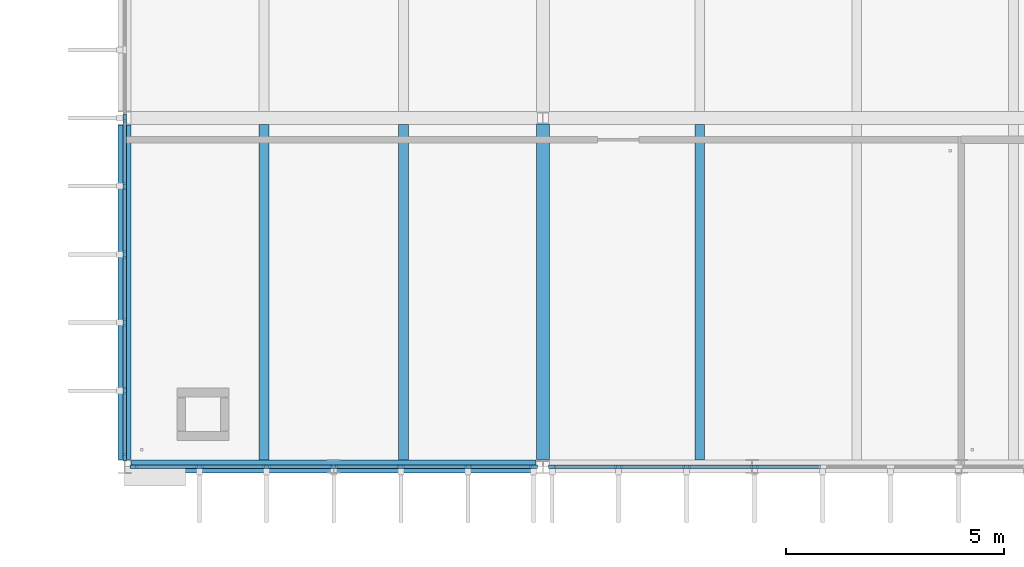
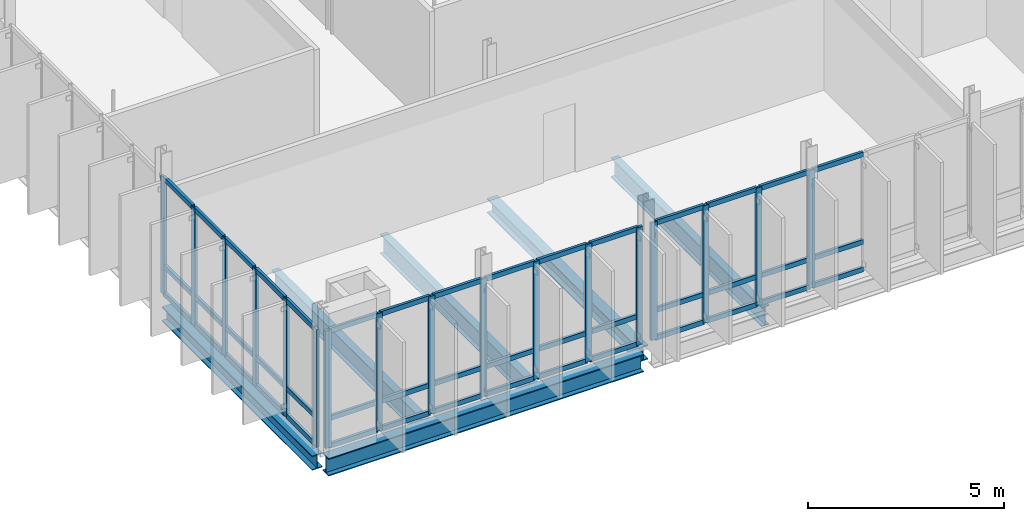
# One storey, part 13 of 59: 62 members, 6 beams, 3 elements without a shape of their own.
"""IFC4 building model written with IfcOpenShell, lengths in metres."""

from ifc_helpers import new_model, si_unit, direction, frame, origin, origin_2d, place, context, subcontext, project, spatial, rectangle, i_section, extrude, material, material_profile, profile_set, type_object, element, aggregate, save


model = new_model("IFC4")

# Units and contexts
model_context = context("Model", 3, precision=1e-05, world=origin(), true_north=direction((0.0, 1.0)))
body_context = subcontext(model_context, "Body", "Model", "MODEL_VIEW")
ifc_project = project(units=[si_unit("LENGTHUNIT", "METRE"), si_unit("AREAUNIT", "SQUARE_METRE"), si_unit("VOLUMEUNIT", "CUBIC_METRE"), si_unit("PLANEANGLEUNIT", "RADIAN"), si_unit("MASSUNIT", "GRAM", prefix="KILO")], contexts=[model_context])

# Site, building, storey
site_placement = place(None, origin())
site = spatial("IfcSite", under=ifc_project, at=site_placement, CompositionType="ELEMENT")
building_placement = place(site_placement, origin())
building = spatial("IfcBuilding", under=site, at=building_placement, Name="Dunescarp Central Library", CompositionType="ELEMENT")
storey_placement = place(building_placement, frame((0.0, 0.0, 18.60009765625)))
storey = spatial("IfcBuildingStorey", under=building, at=storey_placement, Name="L04", CompositionType="ELEMENT", Elevation=18.60009765625)

# Curtain wall, members
ifc_material_1 = material(Name="Marine-grade anodised aluminium 6063-T6", Category="aluminium")
curtain_wall_type = type_object("IfcCurtainWallType", Name="ARC-CW-STICK", PredefinedType="NOTDEFINED", material=ifc_material_1)
curtain_wall_1_placement = place(storey_placement, origin())
curtain_wall_1 = element("IfcCurtainWall", 1, at=curtain_wall_1_placement, inside=storey, type_object=curtain_wall_type, Name="L04 curtain wall CW-V1-024", PredefinedType="NOTDEFINED")
ifc_material_profile_1 = material_profile(ifc_material_1, rectangle(XDim=0.080078125, YDim=0.179931640625, at=origin_2d()), Name="AL 80x180")
ifc_profile_set_1 = profile_set([ifc_material_profile_1], Name="Marine-grade anodised aluminium 6063-T6")
member_type_1 = type_object("IfcMemberType", Name="ARC-CWM-180", PredefinedType="MULLION", material=ifc_profile_set_1)
member_1_placement = place(storey_placement, frame((9.385009765625, 4.800048828125, 0.0), z_axis=(0.0, 0.0, 1.0), x_axis=(0.0, -1.0, 0.0)))
member_1 = element("IfcMember", 2, at=member_1_placement, type_object=member_type_1, Name="CW-V1-024 mullion 1", PredefinedType="MULLION", context=body_context, shape_type="SweptSolid", body=[
    extrude(rectangle(XDim=0.080078125, YDim=0.179931640625, at=origin_2d()), origin(), (0.0, 0.0, 1.0), 3.664794921875),
])
member_2_placement = place(storey_placement, frame((7.88330078125, 4.800048828125, 0.0), z_axis=(0.0, 0.0, 1.0), x_axis=(0.0, -1.0, 0.0)))
member_2 = element("IfcMember", 3, at=member_2_placement, type_object=member_type_1, Name="CW-V1-024 mullion 2", PredefinedType="MULLION", context=body_context, shape_type="SweptSolid", body=[
    extrude(rectangle(XDim=0.080078125, YDim=0.179931640625, at=origin_2d()), origin(), (0.0, 0.0, 1.0), 3.664794921875),
])
member_3_placement = place(storey_placement, frame((6.341552734375, 4.800048828125, 0.0), z_axis=(0.0, 0.0, 1.0), x_axis=(0.0, -1.0, 0.0)))
member_3 = element("IfcMember", 4, at=member_3_placement, type_object=member_type_1, Name="CW-V1-024 mullion 3", PredefinedType="MULLION", context=body_context, shape_type="SweptSolid", body=[
    extrude(rectangle(XDim=0.080078125, YDim=0.179931640625, at=origin_2d()), origin(), (0.0, 0.0, 1.0), 3.664794921875),
])
member_4_placement = place(storey_placement, frame((4.800048828125, 4.800048828125, 0.0), z_axis=(0.0, 0.0, 1.0), x_axis=(0.0, -1.0, 0.0)))
member_4 = element("IfcMember", 5, at=member_4_placement, type_object=member_type_1, Name="CW-V1-024 mullion 4", PredefinedType="MULLION", context=body_context, shape_type="SweptSolid", body=[
    extrude(rectangle(XDim=0.080078125, YDim=0.179931640625, at=origin_2d()), origin(), (0.0, 0.0, 1.0), 3.664794921875),
])
member_5_placement = place(storey_placement, frame((3.25830078125, 4.800048828125, 0.0), z_axis=(0.0, 0.0, 1.0), x_axis=(0.0, -1.0, 0.0)))
member_5 = element("IfcMember", 6, at=member_5_placement, type_object=member_type_1, Name="CW-V1-024 mullion 5", PredefinedType="MULLION", context=body_context, shape_type="SweptSolid", body=[
    extrude(rectangle(XDim=0.080078125, YDim=0.179931640625, at=origin_2d()), origin(), (0.0, 0.0, 1.0), 3.664794921875),
])
member_6_placement = place(storey_placement, frame((1.716552734375, 4.800048828125, 0.0), z_axis=(0.0, 0.0, 1.0), x_axis=(0.0, -1.0, 0.0)))
member_6 = element("IfcMember", 7, at=member_6_placement, type_object=member_type_1, Name="CW-V1-024 mullion 6", PredefinedType="MULLION", context=body_context, shape_type="SweptSolid", body=[
    extrude(rectangle(XDim=0.080078125, YDim=0.179931640625, at=origin_2d()), origin(), (0.0, 0.0, 1.0), 3.664794921875),
])
member_7_placement = place(storey_placement, frame((0.215087890625, 4.800048828125, 0.0), z_axis=(0.0, 0.0, 1.0), x_axis=(0.0, -1.0, 0.0)))
member_7 = element("IfcMember", 8, at=member_7_placement, type_object=member_type_1, Name="CW-V1-024 mullion 7", PredefinedType="MULLION", context=body_context, shape_type="SweptSolid", body=[
    extrude(rectangle(XDim=0.080078125, YDim=0.179931640625, at=origin_2d()), origin(), (0.0, 0.0, 1.0), 3.664794921875),
])

curtain_wall_2_placement = place(storey_placement, origin())
curtain_wall_2 = element("IfcCurtainWall", 9, at=curtain_wall_2_placement, inside=storey, type_object=curtain_wall_type, Name="L04 curtain wall CW-V1-025", PredefinedType="NOTDEFINED")
member_8_placement = place(storey_placement, frame((14.458251953125, 4.800048828125, 0.0), z_axis=(0.0, 0.0, 1.0), x_axis=(0.0, -1.0, 0.0)))
member_8 = element("IfcMember", 10, at=member_8_placement, type_object=member_type_1, Name="CW-V1-025 mullion 7", PredefinedType="MULLION", context=body_context, shape_type="SweptSolid", body=[
    extrude(rectangle(XDim=0.080078125, YDim=0.179931640625, at=origin_2d()), origin(), (0.0, 0.0, 1.0), 3.664794921875),
])
member_9_placement = place(storey_placement, frame((12.897216796875, 4.800048828125, 0.0), z_axis=(0.0, 0.0, 1.0), x_axis=(0.0, -1.0, 0.0)))
member_9 = element("IfcMember", 11, at=member_9_placement, type_object=member_type_1, Name="CW-V1-025 mullion 8", PredefinedType="MULLION", context=body_context, shape_type="SweptSolid", body=[
    extrude(rectangle(XDim=0.080078125, YDim=0.179931640625, at=origin_2d()), origin(), (0.0, 0.0, 1.0), 3.664794921875),
])
member_10_placement = place(storey_placement, frame((11.336181640625, 4.800048828125, 0.0), z_axis=(0.0, 0.0, 1.0), x_axis=(0.0, -1.0, 0.0)))
member_10 = element("IfcMember", 12, at=member_10_placement, type_object=member_type_1, Name="CW-V1-025 mullion 9", PredefinedType="MULLION", context=body_context, shape_type="SweptSolid", body=[
    extrude(rectangle(XDim=0.080078125, YDim=0.179931640625, at=origin_2d()), origin(), (0.0, 0.0, 1.0), 3.664794921875),
])
member_11_placement = place(storey_placement, frame((9.81494140625, 4.800048828125, 0.0), z_axis=(0.0, 0.0, 1.0), x_axis=(0.0, -1.0, 0.0)))
member_11 = element("IfcMember", 13, at=member_11_placement, type_object=member_type_1, Name="CW-V1-025 mullion 10", PredefinedType="MULLION", context=body_context, shape_type="SweptSolid", body=[
    extrude(rectangle(XDim=0.080078125, YDim=0.179931640625, at=origin_2d()), origin(), (0.0, 0.0, 1.0), 3.664794921875),
])

curtain_wall_3_placement = place(storey_placement, origin())
curtain_wall_3 = element("IfcCurtainWall", 14, at=curtain_wall_3_placement, inside=storey, type_object=curtain_wall_type, Name="L04 curtain wall CW-V1-028", PredefinedType="NOTDEFINED")
member_12_placement = place(storey_placement, frame((0.0, 5.014892578125, 0.0), z_axis=(0.0, 0.0, 1.0), x_axis=(-1.0, 0.0, 0.0)))
member_12 = element("IfcMember", 15, at=member_12_placement, type_object=member_type_1, Name="CW-V1-028 mullion 1", PredefinedType="MULLION", context=body_context, shape_type="SweptSolid", body=[
    extrude(rectangle(XDim=0.080078125, YDim=0.179931640625, at=origin_2d()), origin(), (0.0, 0.0, 1.0), 3.664794921875),
])
member_13_placement = place(storey_placement, frame((0.0, 6.5400390625, 0.0), z_axis=(0.0, 0.0, 1.0), x_axis=(-1.0, 0.0, 0.0)))
member_13 = element("IfcMember", 16, at=member_13_placement, type_object=member_type_1, Name="CW-V1-028 mullion 2", PredefinedType="MULLION", context=body_context, shape_type="SweptSolid", body=[
    extrude(rectangle(XDim=0.080078125, YDim=0.179931640625, at=origin_2d()), origin(), (0.0, 0.0, 1.0), 3.664794921875),
])
member_14_placement = place(storey_placement, frame((0.0, 8.10498046875, 0.0), z_axis=(0.0, 0.0, 1.0), x_axis=(-1.0, 0.0, 0.0)))
member_14 = element("IfcMember", 17, at=member_14_placement, type_object=member_type_1, Name="CW-V1-028 mullion 3", PredefinedType="MULLION", context=body_context, shape_type="SweptSolid", body=[
    extrude(rectangle(XDim=0.080078125, YDim=0.179931640625, at=origin_2d()), origin(), (0.0, 0.0, 1.0), 3.664794921875),
])
member_15_placement = place(storey_placement, frame((0.0, 9.669921875, 0.0), z_axis=(0.0, 0.0, 1.0), x_axis=(-1.0, 0.0, 0.0)))
member_15 = element("IfcMember", 18, at=member_15_placement, type_object=member_type_1, Name="CW-V1-028 mullion 4", PredefinedType="MULLION", context=body_context, shape_type="SweptSolid", body=[
    extrude(rectangle(XDim=0.080078125, YDim=0.179931640625, at=origin_2d()), origin(), (0.0, 0.0, 1.0), 3.664794921875),
])
member_16_placement = place(storey_placement, frame((0.0, 11.235107421875, 0.0), z_axis=(0.0, 0.0, 1.0), x_axis=(-1.0, 0.0, 0.0)))
member_16 = element("IfcMember", 19, at=member_16_placement, type_object=member_type_1, Name="CW-V1-028 mullion 5", PredefinedType="MULLION", context=body_context, shape_type="SweptSolid", body=[
    extrude(rectangle(XDim=0.080078125, YDim=0.179931640625, at=origin_2d()), origin(), (0.0, 0.0, 1.0), 3.664794921875),
])
member_17_placement = place(storey_placement, frame((0.0, 12.800048828125, 0.0), z_axis=(0.0, 0.0, 1.0), x_axis=(-1.0, 0.0, 0.0)))
member_17 = element("IfcMember", 20, at=member_17_placement, type_object=member_type_1, Name="CW-V1-028 mullion 6", PredefinedType="MULLION", context=body_context, shape_type="SweptSolid", body=[
    extrude(rectangle(XDim=0.080078125, YDim=0.179931640625, at=origin_2d()), origin(), (0.0, 0.0, 1.0), 3.664794921875),
])

# Member
ifc_material_profile_2 = material_profile(ifc_material_1, rectangle(XDim=0.080078125, YDim=0.14990234375, at=origin_2d()), Name="AL 80x150")
ifc_profile_set_2 = profile_set([ifc_material_profile_2], Name="Marine-grade anodised aluminium 6063-T6")
member_type_2 = type_object("IfcMemberType", Name="ARC-CWT-150", PredefinedType="USERDEFINED", material=ifc_profile_set_2)
member_18_placement = place(storey_placement, frame((9.344970703125, 4.800048828125, 0.039794921875), z_axis=(-1.0, 0.0, 0.0), x_axis=(0.0, -1.0, 0.0)))
member_18 = element("IfcMember", 21, at=member_18_placement, type_object=member_type_2, Name="CW-V1-024 transom 1.1", ObjectType="TRANSOM", PredefinedType="USERDEFINED", context=body_context, shape_type="SweptSolid", body=[
    extrude(rectangle(XDim=0.080078125, YDim=0.14990234375, at=origin_2d()), origin(), (0.0, 0.0, 1.0), 1.421630859375),
])

member_19_placement = place(storey_placement, frame((9.344970703125, 4.800048828125, 0.89990234375), z_axis=(-1.0, 0.0, 0.0), x_axis=(0.0, -1.0, 0.0)))
member_19 = element("IfcMember", 22, at=member_19_placement, type_object=member_type_2, Name="CW-V1-024 transom 1.2", ObjectType="TRANSOM", PredefinedType="USERDEFINED", context=body_context, shape_type="SweptSolid", body=[
    extrude(rectangle(XDim=0.080078125, YDim=0.14990234375, at=origin_2d()), origin(), (0.0, 0.0, 1.0), 1.421630859375),
])

member_20_placement = place(storey_placement, frame((9.344970703125, 4.800048828125, 3.625), z_axis=(-1.0, 0.0, 0.0), x_axis=(0.0, -1.0, 0.0)))
member_20 = element("IfcMember", 23, at=member_20_placement, type_object=member_type_2, Name="CW-V1-024 transom 1.3", ObjectType="TRANSOM", PredefinedType="USERDEFINED", context=body_context, shape_type="SweptSolid", body=[
    extrude(rectangle(XDim=0.080078125, YDim=0.14990234375, at=origin_2d()), origin(), (0.0, 0.0, 1.0), 1.421630859375),
])

member_21_placement = place(storey_placement, frame((7.84326171875, 4.800048828125, 0.039794921875), z_axis=(-1.0, 0.0, 0.0), x_axis=(0.0, -1.0, 0.0)))
member_21 = element("IfcMember", 24, at=member_21_placement, type_object=member_type_2, Name="CW-V1-024 transom 2.1", ObjectType="TRANSOM", PredefinedType="USERDEFINED", context=body_context, shape_type="SweptSolid", body=[
    extrude(rectangle(XDim=0.080078125, YDim=0.14990234375, at=origin_2d()), origin(), (0.0, 0.0, 1.0), 1.461669921875),
])

member_22_placement = place(storey_placement, frame((7.84326171875, 4.800048828125, 0.89990234375), z_axis=(-1.0, 0.0, 0.0), x_axis=(0.0, -1.0, 0.0)))
member_22 = element("IfcMember", 25, at=member_22_placement, type_object=member_type_2, Name="CW-V1-024 transom 2.2", ObjectType="TRANSOM", PredefinedType="USERDEFINED", context=body_context, shape_type="SweptSolid", body=[
    extrude(rectangle(XDim=0.080078125, YDim=0.14990234375, at=origin_2d()), origin(), (0.0, 0.0, 1.0), 1.461669921875),
])

member_23_placement = place(storey_placement, frame((7.84326171875, 4.800048828125, 3.625), z_axis=(-1.0, 0.0, 0.0), x_axis=(0.0, -1.0, 0.0)))
member_23 = element("IfcMember", 26, at=member_23_placement, type_object=member_type_2, Name="CW-V1-024 transom 2.3", ObjectType="TRANSOM", PredefinedType="USERDEFINED", context=body_context, shape_type="SweptSolid", body=[
    extrude(rectangle(XDim=0.080078125, YDim=0.14990234375, at=origin_2d()), origin(), (0.0, 0.0, 1.0), 1.461669921875),
])

member_24_placement = place(storey_placement, frame((6.3017578125, 4.800048828125, 0.039794921875), z_axis=(-1.0, 0.0, 0.0), x_axis=(0.0, -1.0, 0.0)))
member_24 = element("IfcMember", 27, at=member_24_placement, type_object=member_type_2, Name="CW-V1-024 transom 3.1", ObjectType="TRANSOM", PredefinedType="USERDEFINED", context=body_context, shape_type="SweptSolid", body=[
    extrude(rectangle(XDim=0.080078125, YDim=0.14990234375, at=origin_2d()), origin(), (0.0, 0.0, 1.0), 1.461669921875),
])

member_25_placement = place(storey_placement, frame((6.3017578125, 4.800048828125, 0.89990234375), z_axis=(-1.0, 0.0, 0.0), x_axis=(0.0, -1.0, 0.0)))
member_25 = element("IfcMember", 28, at=member_25_placement, type_object=member_type_2, Name="CW-V1-024 transom 3.2", ObjectType="TRANSOM", PredefinedType="USERDEFINED", context=body_context, shape_type="SweptSolid", body=[
    extrude(rectangle(XDim=0.080078125, YDim=0.14990234375, at=origin_2d()), origin(), (0.0, 0.0, 1.0), 1.461669921875),
])

member_26_placement = place(storey_placement, frame((6.3017578125, 4.800048828125, 3.625), z_axis=(-1.0, 0.0, 0.0), x_axis=(0.0, -1.0, 0.0)))
member_26 = element("IfcMember", 29, at=member_26_placement, type_object=member_type_2, Name="CW-V1-024 transom 3.3", ObjectType="TRANSOM", PredefinedType="USERDEFINED", context=body_context, shape_type="SweptSolid", body=[
    extrude(rectangle(XDim=0.080078125, YDim=0.14990234375, at=origin_2d()), origin(), (0.0, 0.0, 1.0), 1.461669921875),
])

member_27_placement = place(storey_placement, frame((4.760009765625, 4.800048828125, 0.039794921875), z_axis=(-1.0, 0.0, 0.0), x_axis=(0.0, -1.0, 0.0)))
member_27 = element("IfcMember", 30, at=member_27_placement, type_object=member_type_2, Name="CW-V1-024 transom 4.1", ObjectType="TRANSOM", PredefinedType="USERDEFINED", context=body_context, shape_type="SweptSolid", body=[
    extrude(rectangle(XDim=0.080078125, YDim=0.14990234375, at=origin_2d()), origin(), (0.0, 0.0, 1.0), 1.461669921875),
])

member_28_placement = place(storey_placement, frame((4.760009765625, 4.800048828125, 0.89990234375), z_axis=(-1.0, 0.0, 0.0), x_axis=(0.0, -1.0, 0.0)))
member_28 = element("IfcMember", 31, at=member_28_placement, type_object=member_type_2, Name="CW-V1-024 transom 4.2", ObjectType="TRANSOM", PredefinedType="USERDEFINED", context=body_context, shape_type="SweptSolid", body=[
    extrude(rectangle(XDim=0.080078125, YDim=0.14990234375, at=origin_2d()), origin(), (0.0, 0.0, 1.0), 1.461669921875),
])

member_29_placement = place(storey_placement, frame((4.760009765625, 4.800048828125, 3.625), z_axis=(-1.0, 0.0, 0.0), x_axis=(0.0, -1.0, 0.0)))
member_29 = element("IfcMember", 32, at=member_29_placement, type_object=member_type_2, Name="CW-V1-024 transom 4.3", ObjectType="TRANSOM", PredefinedType="USERDEFINED", context=body_context, shape_type="SweptSolid", body=[
    extrude(rectangle(XDim=0.080078125, YDim=0.14990234375, at=origin_2d()), origin(), (0.0, 0.0, 1.0), 1.461669921875),
])

member_30_placement = place(storey_placement, frame((3.21826171875, 4.800048828125, 0.039794921875), z_axis=(-1.0, 0.0, 0.0), x_axis=(0.0, -1.0, 0.0)))
member_30 = element("IfcMember", 33, at=member_30_placement, type_object=member_type_2, Name="CW-V1-024 transom 5.1", ObjectType="TRANSOM", PredefinedType="USERDEFINED", context=body_context, shape_type="SweptSolid", body=[
    extrude(rectangle(XDim=0.080078125, YDim=0.14990234375, at=origin_2d()), origin(), (0.0, 0.0, 1.0), 1.461669921875),
])

member_31_placement = place(storey_placement, frame((3.21826171875, 4.800048828125, 0.89990234375), z_axis=(-1.0, 0.0, 0.0), x_axis=(0.0, -1.0, 0.0)))
member_31 = element("IfcMember", 34, at=member_31_placement, type_object=member_type_2, Name="CW-V1-024 transom 5.2", ObjectType="TRANSOM", PredefinedType="USERDEFINED", context=body_context, shape_type="SweptSolid", body=[
    extrude(rectangle(XDim=0.080078125, YDim=0.14990234375, at=origin_2d()), origin(), (0.0, 0.0, 1.0), 1.461669921875),
])

member_32_placement = place(storey_placement, frame((3.21826171875, 4.800048828125, 3.625), z_axis=(-1.0, 0.0, 0.0), x_axis=(0.0, -1.0, 0.0)))
member_32 = element("IfcMember", 35, at=member_32_placement, type_object=member_type_2, Name="CW-V1-024 transom 5.3", ObjectType="TRANSOM", PredefinedType="USERDEFINED", context=body_context, shape_type="SweptSolid", body=[
    extrude(rectangle(XDim=0.080078125, YDim=0.14990234375, at=origin_2d()), origin(), (0.0, 0.0, 1.0), 1.461669921875),
])

member_33_placement = place(storey_placement, frame((1.6767578125, 4.800048828125, 0.039794921875), z_axis=(-1.0, 0.0, 0.0), x_axis=(0.0, -1.0, 0.0)))
member_33 = element("IfcMember", 36, at=member_33_placement, type_object=member_type_2, Name="CW-V1-024 transom 6.1", ObjectType="TRANSOM", PredefinedType="USERDEFINED", context=body_context, shape_type="SweptSolid", body=[
    extrude(rectangle(XDim=0.080078125, YDim=0.14990234375, at=origin_2d()), origin(), (0.0, 0.0, 1.0), 1.421875),
])

member_34_placement = place(storey_placement, frame((1.6767578125, 4.800048828125, 0.89990234375), z_axis=(-1.0, 0.0, 0.0), x_axis=(0.0, -1.0, 0.0)))
member_34 = element("IfcMember", 37, at=member_34_placement, type_object=member_type_2, Name="CW-V1-024 transom 6.2", ObjectType="TRANSOM", PredefinedType="USERDEFINED", context=body_context, shape_type="SweptSolid", body=[
    extrude(rectangle(XDim=0.080078125, YDim=0.14990234375, at=origin_2d()), origin(), (0.0, 0.0, 1.0), 1.421875),
])

member_35_placement = place(storey_placement, frame((1.6767578125, 4.800048828125, 3.625), z_axis=(-1.0, 0.0, 0.0), x_axis=(0.0, -1.0, 0.0)))
member_35 = element("IfcMember", 38, at=member_35_placement, type_object=member_type_2, Name="CW-V1-024 transom 6.3", ObjectType="TRANSOM", PredefinedType="USERDEFINED", context=body_context, shape_type="SweptSolid", body=[
    extrude(rectangle(XDim=0.080078125, YDim=0.14990234375, at=origin_2d()), origin(), (0.0, 0.0, 1.0), 1.421875),
])

aggregate(curtain_wall_1, [member_1, member_2, member_3, member_4, member_5, member_6, member_7, member_18, member_19, member_20, member_21, member_22, member_23, member_24, member_25, member_26, member_27, member_28, member_29, member_30, member_31, member_32, member_33, member_34, member_35])

member_36_placement = place(storey_placement, frame((15.9794921875, 4.800048828125, 0.039794921875), z_axis=(-1.0, 0.0, 0.0), x_axis=(0.0, -1.0, 0.0)))
member_36 = element("IfcMember", 39, at=member_36_placement, type_object=member_type_2, Name="CW-V1-025 transom 6.1", ObjectType="TRANSOM", PredefinedType="USERDEFINED", context=body_context, shape_type="SweptSolid", body=[
    extrude(rectangle(XDim=0.080078125, YDim=0.14990234375, at=origin_2d()), origin(), (0.0, 0.0, 1.0), 1.481201171875),
])

member_37_placement = place(storey_placement, frame((15.9794921875, 4.800048828125, 0.89990234375), z_axis=(-1.0, 0.0, 0.0), x_axis=(0.0, -1.0, 0.0)))
member_37 = element("IfcMember", 40, at=member_37_placement, type_object=member_type_2, Name="CW-V1-025 transom 6.2", ObjectType="TRANSOM", PredefinedType="USERDEFINED", context=body_context, shape_type="SweptSolid", body=[
    extrude(rectangle(XDim=0.080078125, YDim=0.14990234375, at=origin_2d()), origin(), (0.0, 0.0, 1.0), 1.481201171875),
])

member_38_placement = place(storey_placement, frame((15.9794921875, 4.800048828125, 3.625), z_axis=(-1.0, 0.0, 0.0), x_axis=(0.0, -1.0, 0.0)))
member_38 = element("IfcMember", 41, at=member_38_placement, type_object=member_type_2, Name="CW-V1-025 transom 6.3", ObjectType="TRANSOM", PredefinedType="USERDEFINED", context=body_context, shape_type="SweptSolid", body=[
    extrude(rectangle(XDim=0.080078125, YDim=0.14990234375, at=origin_2d()), origin(), (0.0, 0.0, 1.0), 1.481201171875),
])

member_39_placement = place(storey_placement, frame((14.418212890625, 4.800048828125, 0.039794921875), z_axis=(-1.0, 0.0, 0.0), x_axis=(0.0, -1.0, 0.0)))
member_39 = element("IfcMember", 42, at=member_39_placement, type_object=member_type_2, Name="CW-V1-025 transom 7.1", ObjectType="TRANSOM", PredefinedType="USERDEFINED", context=body_context, shape_type="SweptSolid", body=[
    extrude(rectangle(XDim=0.080078125, YDim=0.14990234375, at=origin_2d()), origin(), (0.0, 0.0, 1.0), 1.48095703125),
])

member_40_placement = place(storey_placement, frame((14.418212890625, 4.800048828125, 0.89990234375), z_axis=(-1.0, 0.0, 0.0), x_axis=(0.0, -1.0, 0.0)))
member_40 = element("IfcMember", 43, at=member_40_placement, type_object=member_type_2, Name="CW-V1-025 transom 7.2", ObjectType="TRANSOM", PredefinedType="USERDEFINED", context=body_context, shape_type="SweptSolid", body=[
    extrude(rectangle(XDim=0.080078125, YDim=0.14990234375, at=origin_2d()), origin(), (0.0, 0.0, 1.0), 1.48095703125),
])

member_41_placement = place(storey_placement, frame((14.418212890625, 4.800048828125, 3.625), z_axis=(-1.0, 0.0, 0.0), x_axis=(0.0, -1.0, 0.0)))
member_41 = element("IfcMember", 44, at=member_41_placement, type_object=member_type_2, Name="CW-V1-025 transom 7.3", ObjectType="TRANSOM", PredefinedType="USERDEFINED", context=body_context, shape_type="SweptSolid", body=[
    extrude(rectangle(XDim=0.080078125, YDim=0.14990234375, at=origin_2d()), origin(), (0.0, 0.0, 1.0), 1.48095703125),
])

member_42_placement = place(storey_placement, frame((12.857177734375, 4.800048828125, 0.039794921875), z_axis=(-1.0, 0.0, 0.0), x_axis=(0.0, -1.0, 0.0)))
member_42 = element("IfcMember", 45, at=member_42_placement, type_object=member_type_2, Name="CW-V1-025 transom 8.1", ObjectType="TRANSOM", PredefinedType="USERDEFINED", context=body_context, shape_type="SweptSolid", body=[
    extrude(rectangle(XDim=0.080078125, YDim=0.14990234375, at=origin_2d()), origin(), (0.0, 0.0, 1.0), 1.48095703125),
])

member_43_placement = place(storey_placement, frame((12.857177734375, 4.800048828125, 0.89990234375), z_axis=(-1.0, 0.0, 0.0), x_axis=(0.0, -1.0, 0.0)))
member_43 = element("IfcMember", 46, at=member_43_placement, type_object=member_type_2, Name="CW-V1-025 transom 8.2", ObjectType="TRANSOM", PredefinedType="USERDEFINED", context=body_context, shape_type="SweptSolid", body=[
    extrude(rectangle(XDim=0.080078125, YDim=0.14990234375, at=origin_2d()), origin(), (0.0, 0.0, 1.0), 1.48095703125),
])

member_44_placement = place(storey_placement, frame((12.857177734375, 4.800048828125, 3.625), z_axis=(-1.0, 0.0, 0.0), x_axis=(0.0, -1.0, 0.0)))
member_44 = element("IfcMember", 47, at=member_44_placement, type_object=member_type_2, Name="CW-V1-025 transom 8.3", ObjectType="TRANSOM", PredefinedType="USERDEFINED", context=body_context, shape_type="SweptSolid", body=[
    extrude(rectangle(XDim=0.080078125, YDim=0.14990234375, at=origin_2d()), origin(), (0.0, 0.0, 1.0), 1.48095703125),
])

member_45_placement = place(storey_placement, frame((11.296142578125, 4.800048828125, 0.039794921875), z_axis=(-1.0, 0.0, 0.0), x_axis=(0.0, -1.0, 0.0)))
member_45 = element("IfcMember", 48, at=member_45_placement, type_object=member_type_2, Name="CW-V1-025 transom 9.1", ObjectType="TRANSOM", PredefinedType="USERDEFINED", context=body_context, shape_type="SweptSolid", body=[
    extrude(rectangle(XDim=0.080078125, YDim=0.14990234375, at=origin_2d()), origin(), (0.0, 0.0, 1.0), 1.441162109375),
])

member_46_placement = place(storey_placement, frame((11.296142578125, 4.800048828125, 0.89990234375), z_axis=(-1.0, 0.0, 0.0), x_axis=(0.0, -1.0, 0.0)))
member_46 = element("IfcMember", 49, at=member_46_placement, type_object=member_type_2, Name="CW-V1-025 transom 9.2", ObjectType="TRANSOM", PredefinedType="USERDEFINED", context=body_context, shape_type="SweptSolid", body=[
    extrude(rectangle(XDim=0.080078125, YDim=0.14990234375, at=origin_2d()), origin(), (0.0, 0.0, 1.0), 1.441162109375),
])

member_47_placement = place(storey_placement, frame((11.296142578125, 4.800048828125, 3.625), z_axis=(-1.0, 0.0, 0.0), x_axis=(0.0, -1.0, 0.0)))
member_47 = element("IfcMember", 50, at=member_47_placement, type_object=member_type_2, Name="CW-V1-025 transom 9.3", ObjectType="TRANSOM", PredefinedType="USERDEFINED", context=body_context, shape_type="SweptSolid", body=[
    extrude(rectangle(XDim=0.080078125, YDim=0.14990234375, at=origin_2d()), origin(), (0.0, 0.0, 1.0), 1.441162109375),
])

aggregate(curtain_wall_2, [member_8, member_9, member_10, member_11, member_36, member_37, member_38, member_39, member_40, member_41, member_42, member_43, member_44, member_45, member_46, member_47])

member_48_placement = place(storey_placement, frame((0.0, 5.054931640625, 0.039794921875), z_axis=(0.0, 1.0, 0.0), x_axis=(-1.0, 0.0, 0.0)))
member_48 = element("IfcMember", 51, at=member_48_placement, type_object=member_type_2, Name="CW-V1-028 transom 1.1", ObjectType="TRANSOM", PredefinedType="USERDEFINED", context=body_context, shape_type="SweptSolid", body=[
    extrude(rectangle(XDim=0.080078125, YDim=0.14990234375, at=origin_2d()), origin(), (0.0, 0.0, 1.0), 1.445068359375),
])

member_49_placement = place(storey_placement, frame((0.0, 5.054931640625, 0.89990234375), z_axis=(0.0, 1.0, 0.0), x_axis=(-1.0, 0.0, 0.0)))
member_49 = element("IfcMember", 52, at=member_49_placement, type_object=member_type_2, Name="CW-V1-028 transom 1.2", ObjectType="TRANSOM", PredefinedType="USERDEFINED", context=body_context, shape_type="SweptSolid", body=[
    extrude(rectangle(XDim=0.080078125, YDim=0.14990234375, at=origin_2d()), origin(), (0.0, 0.0, 1.0), 1.445068359375),
])

member_50_placement = place(storey_placement, frame((0.0, 5.054931640625, 3.625), z_axis=(0.0, 1.0, 0.0), x_axis=(-1.0, 0.0, 0.0)))
member_50 = element("IfcMember", 53, at=member_50_placement, type_object=member_type_2, Name="CW-V1-028 transom 1.3", ObjectType="TRANSOM", PredefinedType="USERDEFINED", context=body_context, shape_type="SweptSolid", body=[
    extrude(rectangle(XDim=0.080078125, YDim=0.14990234375, at=origin_2d()), origin(), (0.0, 0.0, 1.0), 1.445068359375),
])

member_51_placement = place(storey_placement, frame((0.0, 6.580078125, 0.039794921875), z_axis=(0.0, 1.0, 0.0), x_axis=(-1.0, 0.0, 0.0)))
member_51 = element("IfcMember", 54, at=member_51_placement, type_object=member_type_2, Name="CW-V1-028 transom 2.1", ObjectType="TRANSOM", PredefinedType="USERDEFINED", context=body_context, shape_type="SweptSolid", body=[
    extrude(rectangle(XDim=0.080078125, YDim=0.14990234375, at=origin_2d()), origin(), (0.0, 0.0, 1.0), 1.48486328125),
])

member_52_placement = place(storey_placement, frame((0.0, 6.580078125, 0.89990234375), z_axis=(0.0, 1.0, 0.0), x_axis=(-1.0, 0.0, 0.0)))
member_52 = element("IfcMember", 55, at=member_52_placement, type_object=member_type_2, Name="CW-V1-028 transom 2.2", ObjectType="TRANSOM", PredefinedType="USERDEFINED", context=body_context, shape_type="SweptSolid", body=[
    extrude(rectangle(XDim=0.080078125, YDim=0.14990234375, at=origin_2d()), origin(), (0.0, 0.0, 1.0), 1.48486328125),
])

member_53_placement = place(storey_placement, frame((0.0, 6.580078125, 3.625), z_axis=(0.0, 1.0, 0.0), x_axis=(-1.0, 0.0, 0.0)))
member_53 = element("IfcMember", 56, at=member_53_placement, type_object=member_type_2, Name="CW-V1-028 transom 2.3", ObjectType="TRANSOM", PredefinedType="USERDEFINED", context=body_context, shape_type="SweptSolid", body=[
    extrude(rectangle(XDim=0.080078125, YDim=0.14990234375, at=origin_2d()), origin(), (0.0, 0.0, 1.0), 1.48486328125),
])

member_54_placement = place(storey_placement, frame((0.0, 8.14501953125, 0.039794921875), z_axis=(0.0, 1.0, 0.0), x_axis=(-1.0, 0.0, 0.0)))
member_54 = element("IfcMember", 57, at=member_54_placement, type_object=member_type_2, Name="CW-V1-028 transom 3.1", ObjectType="TRANSOM", PredefinedType="USERDEFINED", context=body_context, shape_type="SweptSolid", body=[
    extrude(rectangle(XDim=0.080078125, YDim=0.14990234375, at=origin_2d()), origin(), (0.0, 0.0, 1.0), 1.48486328125),
])

member_55_placement = place(storey_placement, frame((0.0, 8.14501953125, 0.89990234375), z_axis=(0.0, 1.0, 0.0), x_axis=(-1.0, 0.0, 0.0)))
member_55 = element("IfcMember", 58, at=member_55_placement, type_object=member_type_2, Name="CW-V1-028 transom 3.2", ObjectType="TRANSOM", PredefinedType="USERDEFINED", context=body_context, shape_type="SweptSolid", body=[
    extrude(rectangle(XDim=0.080078125, YDim=0.14990234375, at=origin_2d()), origin(), (0.0, 0.0, 1.0), 1.48486328125),
])

member_56_placement = place(storey_placement, frame((0.0, 8.14501953125, 3.625), z_axis=(0.0, 1.0, 0.0), x_axis=(-1.0, 0.0, 0.0)))
member_56 = element("IfcMember", 59, at=member_56_placement, type_object=member_type_2, Name="CW-V1-028 transom 3.3", ObjectType="TRANSOM", PredefinedType="USERDEFINED", context=body_context, shape_type="SweptSolid", body=[
    extrude(rectangle(XDim=0.080078125, YDim=0.14990234375, at=origin_2d()), origin(), (0.0, 0.0, 1.0), 1.48486328125),
])

member_57_placement = place(storey_placement, frame((0.0, 9.7099609375, 0.039794921875), z_axis=(0.0, 1.0, 0.0), x_axis=(-1.0, 0.0, 0.0)))
member_57 = element("IfcMember", 60, at=member_57_placement, type_object=member_type_2, Name="CW-V1-028 transom 4.1", ObjectType="TRANSOM", PredefinedType="USERDEFINED", context=body_context, shape_type="SweptSolid", body=[
    extrude(rectangle(XDim=0.080078125, YDim=0.14990234375, at=origin_2d()), origin(), (0.0, 0.0, 1.0), 1.485107421875),
])

member_58_placement = place(storey_placement, frame((0.0, 9.7099609375, 0.89990234375), z_axis=(0.0, 1.0, 0.0), x_axis=(-1.0, 0.0, 0.0)))
member_58 = element("IfcMember", 61, at=member_58_placement, type_object=member_type_2, Name="CW-V1-028 transom 4.2", ObjectType="TRANSOM", PredefinedType="USERDEFINED", context=body_context, shape_type="SweptSolid", body=[
    extrude(rectangle(XDim=0.080078125, YDim=0.14990234375, at=origin_2d()), origin(), (0.0, 0.0, 1.0), 1.485107421875),
])

member_59_placement = place(storey_placement, frame((0.0, 9.7099609375, 3.625), z_axis=(0.0, 1.0, 0.0), x_axis=(-1.0, 0.0, 0.0)))
member_59 = element("IfcMember", 62, at=member_59_placement, type_object=member_type_2, Name="CW-V1-028 transom 4.3", ObjectType="TRANSOM", PredefinedType="USERDEFINED", context=body_context, shape_type="SweptSolid", body=[
    extrude(rectangle(XDim=0.080078125, YDim=0.14990234375, at=origin_2d()), origin(), (0.0, 0.0, 1.0), 1.485107421875),
])

member_60_placement = place(storey_placement, frame((0.0, 11.27490234375, 0.039794921875), z_axis=(0.0, 1.0, 0.0), x_axis=(-1.0, 0.0, 0.0)))
member_60 = element("IfcMember", 63, at=member_60_placement, type_object=member_type_2, Name="CW-V1-028 transom 5.1", ObjectType="TRANSOM", PredefinedType="USERDEFINED", context=body_context, shape_type="SweptSolid", body=[
    extrude(rectangle(XDim=0.080078125, YDim=0.14990234375, at=origin_2d()), origin(), (0.0, 0.0, 1.0), 1.485107421875),
])

member_61_placement = place(storey_placement, frame((0.0, 11.27490234375, 0.89990234375), z_axis=(0.0, 1.0, 0.0), x_axis=(-1.0, 0.0, 0.0)))
member_61 = element("IfcMember", 64, at=member_61_placement, type_object=member_type_2, Name="CW-V1-028 transom 5.2", ObjectType="TRANSOM", PredefinedType="USERDEFINED", context=body_context, shape_type="SweptSolid", body=[
    extrude(rectangle(XDim=0.080078125, YDim=0.14990234375, at=origin_2d()), origin(), (0.0, 0.0, 1.0), 1.485107421875),
])

member_62_placement = place(storey_placement, frame((0.0, 11.27490234375, 3.625), z_axis=(0.0, 1.0, 0.0), x_axis=(-1.0, 0.0, 0.0)))
member_62 = element("IfcMember", 65, at=member_62_placement, type_object=member_type_2, Name="CW-V1-028 transom 5.3", ObjectType="TRANSOM", PredefinedType="USERDEFINED", context=body_context, shape_type="SweptSolid", body=[
    extrude(rectangle(XDim=0.080078125, YDim=0.14990234375, at=origin_2d()), origin(), (0.0, 0.0, 1.0), 1.485107421875),
])

aggregate(curtain_wall_3, [member_12, member_13, member_14, member_15, member_16, member_17, member_48, member_49, member_50, member_51, member_52, member_53, member_54, member_55, member_56, member_57, member_58, member_59, member_60, member_61, member_62])

# Beams
ifc_material_2 = material(Name="Steel S355JR", Category="steel")
ifc_material_profile_3 = material_profile(ifc_material_2, i_section(OverallWidth=0.300048828125, OverallDepth=0.449951171875, WebThickness=0.013916015625, FlangeThickness=0.02587890625, at=origin_2d()), Name="HEB 450")
ifc_profile_set_3 = profile_set([ifc_material_profile_3], Name="Steel S355JR")
beam_type_1 = type_object("IfcBeamType", Name="STR-BM-HEB450", PredefinedType="BEAM", material=ifc_profile_set_3)
beam_1_placement = place(storey_placement, frame((0.0, 4.9609375, -0.47509765625), z_axis=(0.0, 1.0, 0.0), x_axis=(-1.0, 0.0, 0.0)))
element("IfcBeam", 66, at=beam_1_placement, inside=storey, type_object=beam_type_1, Name="L04 girder BM-L04-0168", PredefinedType="BEAM", context=body_context, shape_type="SweptSolid", body=[
    extrude(i_section(OverallWidth=0.300048828125, OverallDepth=0.449951171875, WebThickness=0.013916015625, FlangeThickness=0.02587890625, at=origin_2d()), origin(), (0.0, 0.0, 1.0), 7.677978515625),
])
beam_2_placement = place(storey_placement, frame((9.60009765625, 4.9609375, -0.47509765625), z_axis=(0.0, 1.0, 0.0), x_axis=(-1.0, 0.0, 0.0)))
element("IfcBeam", 67, at=beam_2_placement, inside=storey, type_object=beam_type_1, Name="L04 girder BM-L04-0169", PredefinedType="BEAM", context=body_context, shape_type="SweptSolid", body=[
    extrude(i_section(OverallWidth=0.300048828125, OverallDepth=0.449951171875, WebThickness=0.013916015625, FlangeThickness=0.02587890625, at=origin_2d()), origin(), (0.0, 0.0, 1.0), 7.7041015625),
])
ifc_material_profile_4 = material_profile(ifc_material_2, i_section(OverallWidth=0.300048828125, OverallDepth=0.550048828125, WebThickness=0.014892578125, FlangeThickness=0.029052734375, at=origin_2d()), Name="HEB 550")
ifc_profile_set_4 = profile_set([ifc_material_profile_4], Name="Steel S355JR")
beam_type_2 = type_object("IfcBeamType", Name="STR-BM-HEB550", PredefinedType="BEAM", material=ifc_profile_set_4)
beam_3_placement = place(storey_placement, frame((0.153076171875, 4.800048828125, -0.525146484375), z_axis=(1.0, 0.0, 0.0), x_axis=(0.0, 1.0, 0.0)))
element("IfcBeam", 68, at=beam_3_placement, inside=storey, type_object=beam_type_2, Name="L04 girder BM-L04-0166", PredefinedType="BEAM", context=body_context, shape_type="SweptSolid", body=[
    extrude(i_section(OverallWidth=0.300048828125, OverallDepth=0.550048828125, WebThickness=0.014892578125, FlangeThickness=0.029052734375, at=origin_2d()), origin(), (0.0, 0.0, 1.0), 9.2939453125),
])
ifc_material_profile_5 = material_profile(ifc_material_2, i_section(OverallWidth=0.219970703125, OverallDepth=0.60009765625, WebThickness=0.011962890625, FlangeThickness=0.01904296875, at=origin_2d()), Name="IPE 600")
ifc_profile_set_5 = profile_set([ifc_material_profile_5], Name="Steel S355JR")
beam_type_3 = type_object("IfcBeamType", Name="STR-JS-IPE500", PredefinedType="JOIST", material=ifc_profile_set_5)
for number, where, z_axis, x_axis, name in (
    (69, (3.199951171875, 4.947998046875, -0.550048828125), (0.0, 1.0, 0.0), (-1.0, 0.0, 0.0), "L04 joist JS-L04-0170"),
    (70, (6.39990234375, 4.947998046875, -0.550048828125), (0.0, 1.0, 0.0), (-1.0, 0.0, 0.0), "L04 joist JS-L04-0171"),
    (71, (13.199951171875, 4.947998046875, -0.550048828125), (0.0, 1.0, 0.0), (-1.0, 0.0, 0.0), "L04 joist JS-L04-0188"),
):
    element("IfcBeam", number, at=place(storey_placement, frame(where, z_axis=z_axis, x_axis=x_axis)), inside=storey, type_object=beam_type_3, Name=name, PredefinedType="JOIST", context=body_context, shape_type="SweptSolid", body=[
        extrude(i_section(OverallWidth=0.219970703125, OverallDepth=0.60009765625, WebThickness=0.011962890625, FlangeThickness=0.01904296875, at=origin_2d()), origin(), (0.0, 0.0, 1.0), 7.7041015625),
    ])

save(model, "model.ifc")
